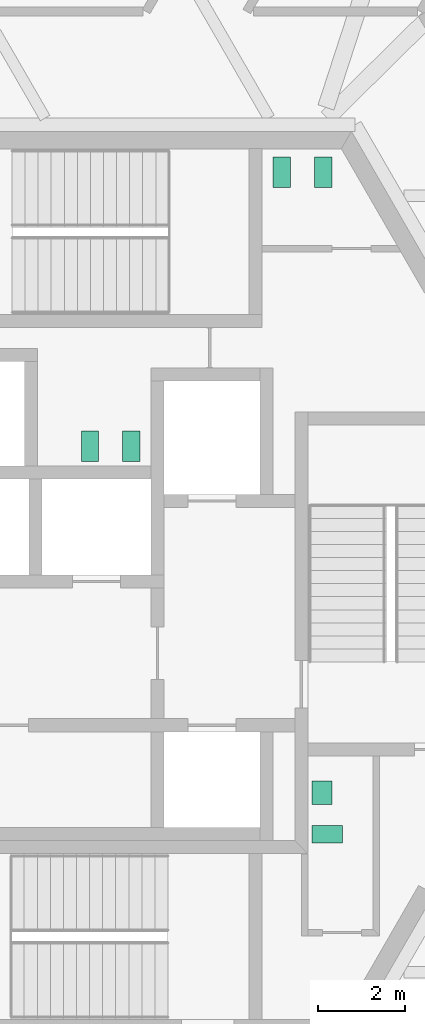
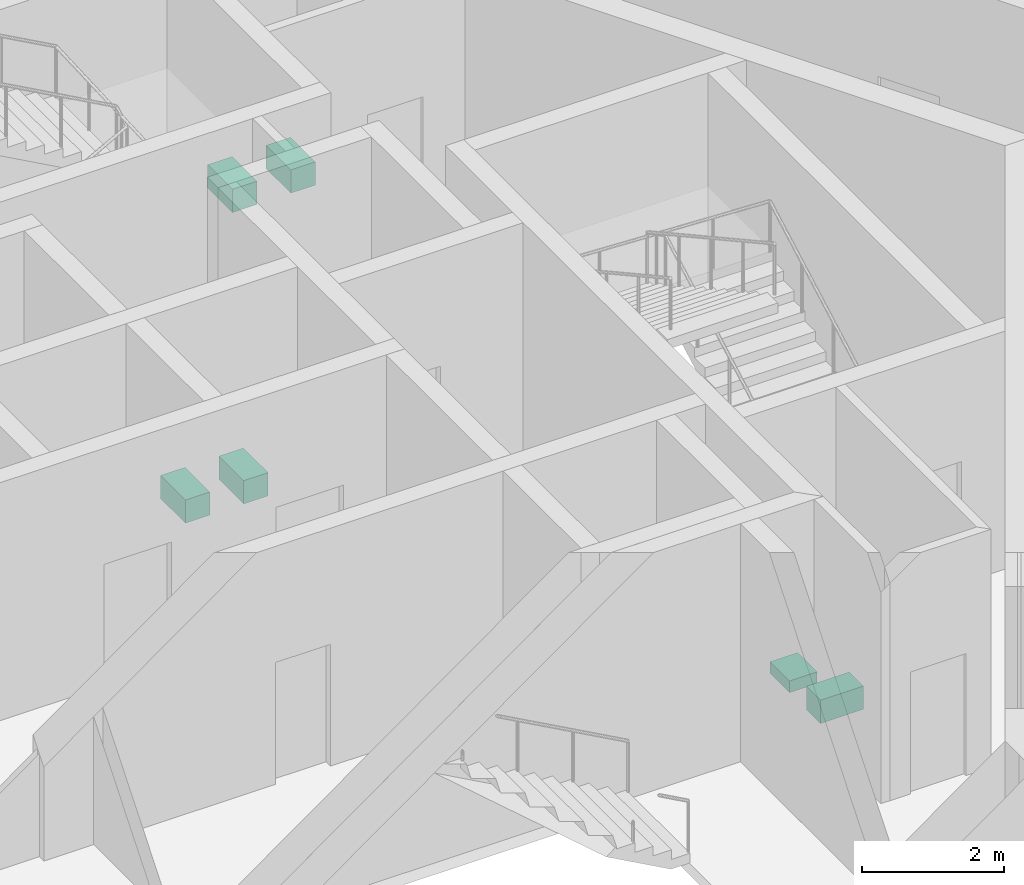
# One storey, part 19 of 19: 6 sanitary terminals.
"""IFC4 building model written with IfcOpenShell, lengths in metres."""

from ifc_helpers import new_model, si_unit, direction, frame, origin, origin_2d, place, context, subcontext, project, spatial, rectangle, extrude, source, transform, mapped, material, element, save


model = new_model("IFC4")

# Units and contexts
model_context = context("Model", 3, precision=1e-05, world=origin(), true_north=direction((0.0, 1.0)))
body_context = subcontext(model_context, "Body", "Model", "MODEL_VIEW")
ifc_project = project(units=[si_unit("LENGTHUNIT", "METRE"), si_unit("AREAUNIT", "SQUARE_METRE"), si_unit("VOLUMEUNIT", "CUBIC_METRE"), si_unit("PLANEANGLEUNIT", "RADIAN"), si_unit("MASSUNIT", "GRAM", prefix="KILO")], contexts=[model_context])

# Site, building, storey
site_placement = place(None, origin())
site = spatial("IfcSite", under=ifc_project, at=site_placement, CompositionType="ELEMENT")
building_placement = place(site_placement, origin())
building = spatial("IfcBuilding", under=site, at=building_placement, Name="Triune Harvest Tower", CompositionType="ELEMENT")
storey_placement = place(building_placement, frame((0.0, 0.0, 41.800048828125)))
storey = spatial("IfcBuildingStorey", under=building, at=storey_placement, Name="L09", CompositionType="ELEMENT", Elevation=41.800048828125)

# Sanitary terminals
ifc_material = material(Name="Vitreous china")
shared_shape_1 = source(origin(), body_context, "Body", "SweptSolid", [
    extrude(rectangle(XDim=0.39990234375, YDim=0.699951171875, at=origin_2d()), origin(), (0.0, 0.0, 1.0), 0.39990234375),
])
for number, where, z_axis, x_axis, name in (
    (1, (4.39990234375, 9.449951171875, 0.0), (0.0, 0.0, 1.0), (1.0, 0.0, 0.0), "Toilet pan L09.c01"),
    (2, (5.35009765625, 9.449951171875, 0.0), (0.0, 0.0, 1.0), (1.0, 0.0, 0.0), "Toilet pan L09.c02"),
    (3, (0.949951171875, 3.159912109375, 0.0), (0.0, 0.0, 1.0), (-1.0, 0.0, 0.0), "Toilet pan L09.c03"),
    (4, (0.0, 3.159912109375, 0.0), (0.0, 0.0, 1.0), (-1.0, 0.0, 0.0), "Toilet pan L09.c04"),
    (5, (5.449951171875, -5.739990234375, 0.0), (0.0, 0.0, 1.0), (0.0, 1.0, 0.0), "Toilet pan L09.c05"),
):
    element("IfcSanitaryTerminal", number, at=place(storey_placement, frame(where, z_axis=z_axis, x_axis=x_axis)), inside=storey, material=ifc_material, Name=name, PredefinedType="TOILETPAN", context=body_context, shape_type="MappedRepresentation", body=[
        mapped(shared_shape_1, transform((0.0, 0.0, 0.0), scale=1.0)),
    ])
shared_shape_2 = source(origin(), body_context, "Body", "SweptSolid", [
    extrude(rectangle(XDim=0.550048828125, YDim=0.449951171875, at=origin_2d()), origin(), (0.0, 0.0, 1.0), 0.199951171875),
])
sanitary_terminal_placement = place(storey_placement, frame((5.324951171875, -4.7900390625, 0.0), z_axis=(0.0, 0.0, 1.0), x_axis=(0.0, 1.0, 0.0)))
element("IfcSanitaryTerminal", 6, at=sanitary_terminal_placement, inside=storey, material=ifc_material, Name="Wash basin L09.c06", PredefinedType="WASHHANDBASIN", context=body_context, shape_type="MappedRepresentation", body=[
    mapped(shared_shape_2, transform((0.0, 0.0, 0.0), scale=1.0)),
])

save(model, "model.ifc")
